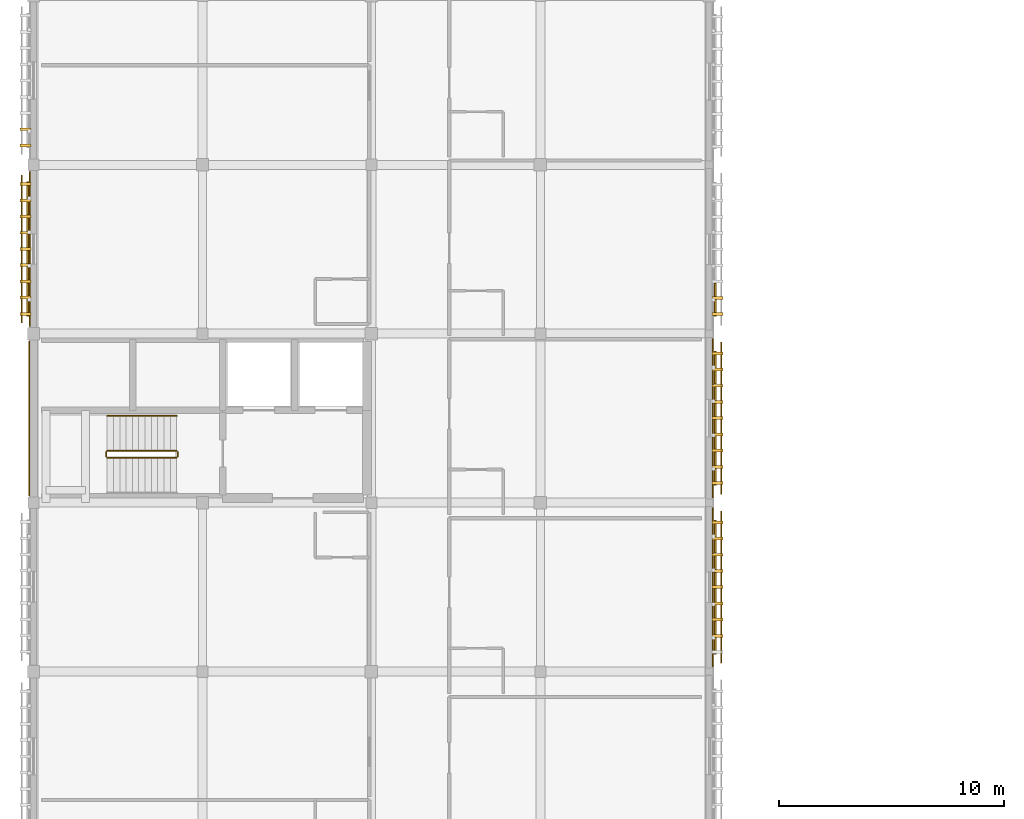
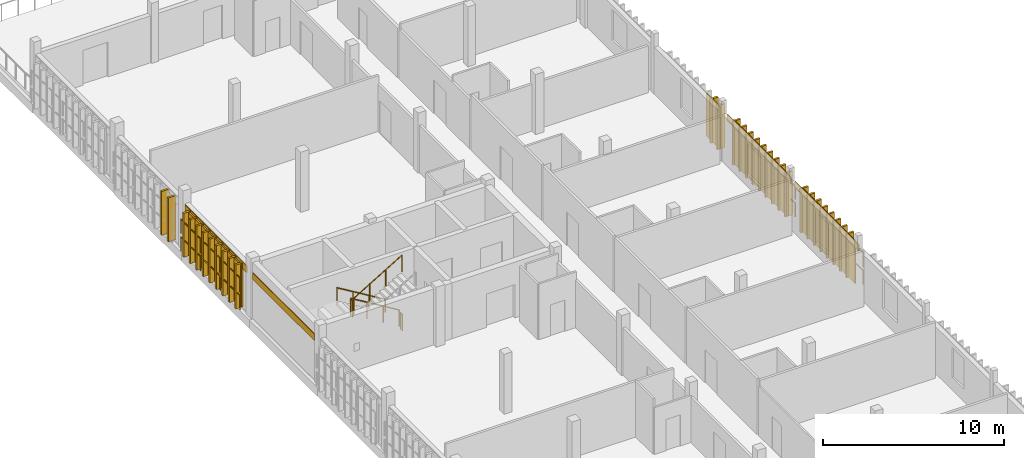
# One storey, part 16 of 17: 34 coverings, 13 shading devices, 11 railings.
"""IFC4 building model written with IfcOpenShell, lengths in metres."""

from ifc_helpers import new_model, si_unit, direction, frame, origin, origin_2d, place, context, subcontext, project, spatial, rectangle, circle, extrude, material, layer, layer_set, type_object, element, save


model = new_model("IFC4")

# Units and contexts
model_context = context("Model", 3, precision=1e-05, world=origin(), true_north=direction((0.0, 1.0)))
body_context = subcontext(model_context, "Body", "Model", "MODEL_VIEW")
ifc_project = project(units=[si_unit("LENGTHUNIT", "METRE"), si_unit("AREAUNIT", "SQUARE_METRE"), si_unit("VOLUMEUNIT", "CUBIC_METRE"), si_unit("PLANEANGLEUNIT", "RADIAN"), si_unit("MASSUNIT", "GRAM", prefix="KILO")], contexts=[model_context])

# Site, building, storey
site_placement = place(None, origin())
site = spatial("IfcSite", under=ifc_project, at=site_placement, CompositionType="ELEMENT")
building_placement = place(site_placement, origin())
building = spatial("IfcBuilding", under=site, at=building_placement, Name="Dalvernix Boulevard General Hospital", CompositionType="ELEMENT")
storey_placement = place(building_placement, frame((0.0, 0.0, 25.949951171875)))
storey = spatial("IfcBuildingStorey", under=building, at=storey_placement, Name="L06", CompositionType="ELEMENT", Elevation=25.949951171875)

# Coverings
ifc_material_1 = material(Name="Polychrome Catalan glazed ceramic spandrel tile panel")
ifc_layer_1 = layer(ifc_material_1, 0.044921875)
ifc_layer_set_1 = layer_set([ifc_layer_1], Name="Polychrome Catalan glazed ceramic spandrel tile panel (COV-CLD-01)")
covering_type_1 = type_object("IfcCoveringType", Name="COV-CLD-01", PredefinedType="CLADDING", material=ifc_layer_set_1)
for number, where, z_axis, x_axis, name in (
    (1, (-0.195068359375, 57.737548828125, 2.6953125), (0.0, 0.0, 1.0), (0.0, 1.0, 0.0), "L06 polychrome ceramic spandrel W 0-7"),
    (2, (-0.159912109375, 65.262451171875, 2.6953125), (0.0, 0.0, 1.0), (0.0, 1.0, 0.0), "L06 polychrome ceramic spandrel W 0-8"),
):
    element("IfcCovering", number, at=place(storey_placement, frame(where, z_axis=z_axis, x_axis=x_axis)), inside=storey, type_object=covering_type_1, Name=name, PredefinedType="CLADDING", context=body_context, shape_type="SweptSolid", body=[
        extrude(rectangle(XDim=6.85498046875, YDim=0.044921875, at=origin_2d()), origin(), (0.0, 0.0, 1.0), 0.449951171875),
    ])
for number, where, z_axis, x_axis, name in (
    (3, (30.159912109375, 50.25, 2.6953125), (0.0, 0.0, 1.0), (0.0, -1.0, 0.0), "L06 polychrome ceramic spandrel E 4-6"),
    (4, (30.159912109375, 57.75, 2.6953125), (0.0, 0.0, 1.0), (0.0, -1.0, 0.0), "L06 polychrome ceramic spandrel E 4-7"),
):
    element("IfcCovering", number, at=place(storey_placement, frame(where, z_axis=z_axis, x_axis=x_axis)), inside=storey, type_object=covering_type_1, Name=name, PredefinedType="CLADDING", context=body_context, shape_type="SweptSolid", body=[
        extrude(rectangle(XDim=7.06005859375, YDim=0.044921875, at=origin_2d()), origin(), (0.0, 0.0, 1.0), 0.449951171875),
    ])
ifc_material_2 = material(Name="Preservative-treated West African iroko timber lattice screen", Category="wood")
ifc_layer_2 = layer(ifc_material_2, 0.1201171875)
ifc_layer_set_2 = layer_set([ifc_layer_2], Name="Preservative-treated West African iroko timber lattice screen (COV-TSCR-01)")
covering_type_2 = type_object("IfcCoveringType", Name="COV-TSCR-01", PredefinedType="CLADDING", material=ifc_layer_set_2)
for number, where, z_axis, x_axis, name in (
    (5, (-0.360107421875, 62.382568359375, 0.10009765625), (0.0, 0.0, 1.0), (0.0, 1.0, 0.0), "L06 upper-ward timber screen blade W 0-8-1"),
    (6, (-0.360107421875, 63.1025390625, 0.10009765625), (0.0, 0.0, 1.0), (0.0, 1.0, 0.0), "L06 upper-ward timber screen blade W 0-8-2"),
    (7, (-0.360107421875, 63.822509765625, 0.10009765625), (0.0, 0.0, 1.0), (0.0, 1.0, 0.0), "L06 upper-ward timber screen blade W 0-8-3"),
    (8, (-0.360107421875, 64.54248046875, 0.10009765625), (0.0, 0.0, 1.0), (0.0, 1.0, 0.0), "L06 upper-ward timber screen blade W 0-8-4"),
    (9, (-0.360107421875, 65.262451171875, 0.10009765625), (0.0, 0.0, 1.0), (0.0, 1.0, 0.0), "L06 upper-ward timber screen blade W 0-8-5"),
    (10, (-0.360107421875, 65.982421875, 0.10009765625), (0.0, 0.0, 1.0), (0.0, 1.0, 0.0), "L06 upper-ward timber screen blade W 0-8-6"),
    (11, (-0.360107421875, 66.702392578125, 0.10009765625), (0.0, 0.0, 1.0), (0.0, 1.0, 0.0), "L06 upper-ward timber screen blade W 0-8-7"),
    (12, (-0.360107421875, 67.422607421875, 0.10009765625), (0.0, 0.0, 1.0), (0.0, 1.0, 0.0), "L06 upper-ward timber screen blade W 0-8-8"),
    (13, (-0.360107421875, 68.142578125, 0.10009765625), (0.0, 0.0, 1.0), (0.0, 1.0, 0.0), "L06 upper-ward timber screen blade W 0-8-9"),
    (14, (-0.360107421875, 69.857421875, 0.10009765625), (0.0, 0.0, 1.0), (0.0, 1.0, 0.0), "L06 upper-ward timber screen blade W 0-9-1"),
    (15, (-0.360107421875, 70.577392578125, 0.10009765625), (0.0, 0.0, 1.0), (0.0, 1.0, 0.0), "L06 upper-ward timber screen blade W 0-9-2"),
    (16, (30.360107421875, 53.1298828125, 0.10009765625), (0.0, 0.0, 1.0), (0.0, -1.0, 0.0), "L06 upper-ward timber screen blade E 4-6-1"),
    (17, (30.360107421875, 52.409912109375, 0.10009765625), (0.0, 0.0, 1.0), (0.0, -1.0, 0.0), "L06 upper-ward timber screen blade E 4-6-2"),
    (18, (30.360107421875, 51.68994140625, 0.10009765625), (0.0, 0.0, 1.0), (0.0, -1.0, 0.0), "L06 upper-ward timber screen blade E 4-6-3"),
    (19, (30.360107421875, 50.969970703125, 0.10009765625), (0.0, 0.0, 1.0), (0.0, -1.0, 0.0), "L06 upper-ward timber screen blade E 4-6-4"),
    (20, (30.360107421875, 50.25, 0.10009765625), (0.0, 0.0, 1.0), (0.0, -1.0, 0.0), "L06 upper-ward timber screen blade E 4-6-5"),
    (21, (30.360107421875, 49.530029296875, 0.10009765625), (0.0, 0.0, 1.0), (0.0, -1.0, 0.0), "L06 upper-ward timber screen blade E 4-6-6"),
    (22, (30.360107421875, 48.81005859375, 0.10009765625), (0.0, 0.0, 1.0), (0.0, -1.0, 0.0), "L06 upper-ward timber screen blade E 4-6-7"),
    (23, (30.360107421875, 48.090087890625, 0.10009765625), (0.0, 0.0, 1.0), (0.0, -1.0, 0.0), "L06 upper-ward timber screen blade E 4-6-8"),
    (24, (30.360107421875, 60.6298828125, 0.10009765625), (0.0, 0.0, 1.0), (0.0, -1.0, 0.0), "L06 upper-ward timber screen blade E 4-7-1"),
    (25, (30.360107421875, 59.909912109375, 0.10009765625), (0.0, 0.0, 1.0), (0.0, -1.0, 0.0), "L06 upper-ward timber screen blade E 4-7-2"),
    (26, (30.360107421875, 59.18994140625, 0.10009765625), (0.0, 0.0, 1.0), (0.0, -1.0, 0.0), "L06 upper-ward timber screen blade E 4-7-3"),
    (27, (30.360107421875, 58.469970703125, 0.10009765625), (0.0, 0.0, 1.0), (0.0, -1.0, 0.0), "L06 upper-ward timber screen blade E 4-7-4"),
    (28, (30.360107421875, 57.75, 0.10009765625), (0.0, 0.0, 1.0), (0.0, -1.0, 0.0), "L06 upper-ward timber screen blade E 4-7-5"),
    (29, (30.360107421875, 57.030029296875, 0.10009765625), (0.0, 0.0, 1.0), (0.0, -1.0, 0.0), "L06 upper-ward timber screen blade E 4-7-6"),
    (30, (30.360107421875, 56.31005859375, 0.10009765625), (0.0, 0.0, 1.0), (0.0, -1.0, 0.0), "L06 upper-ward timber screen blade E 4-7-7"),
    (31, (30.360107421875, 55.590087890625, 0.10009765625), (0.0, 0.0, 1.0), (0.0, -1.0, 0.0), "L06 upper-ward timber screen blade E 4-7-8"),
    (32, (30.360107421875, 54.8701171875, 0.10009765625), (0.0, 0.0, 1.0), (0.0, -1.0, 0.0), "L06 upper-ward timber screen blade E 4-7-9"),
    (33, (30.360107421875, 63.090087890625, 0.10009765625), (0.0, 0.0, 1.0), (0.0, -1.0, 0.0), "L06 upper-ward timber screen blade E 4-8-8"),
    (34, (30.360107421875, 62.3701171875, 0.10009765625), (0.0, 0.0, 1.0), (0.0, -1.0, 0.0), "L06 upper-ward timber screen blade E 4-8-9"),
):
    element("IfcCovering", number, at=place(storey_placement, frame(where, z_axis=z_axis, x_axis=x_axis)), inside=storey, type_object=covering_type_2, Name=name, PredefinedType="CLADDING", context=body_context, shape_type="SweptSolid", body=[
        extrude(rectangle(XDim=0.1298828125, YDim=0.47998046875, at=origin_2d()), origin(), (0.0, 0.0, 1.0), 2.969970703125),
    ])

# Railings
ifc_material_3 = material(Name="Brushed stainless steel balustrade", Category="steel")
railing_type_1 = type_object("IfcRailingType", Name="RL-GR-INT1", PredefinedType="BALUSTRADE", material=ifc_material_3)
railing_1_placement = place(storey_placement, frame((6.35009765625, 56.300048828125, 0.168701171875)))
element("IfcRailing", 35, at=railing_1_placement, inside=storey, type_object=railing_type_1, Name="L06 ST-02 stair guard 1", PredefinedType="BALUSTRADE", context=body_context, shape_type="SweptSolid", body=[
    extrude(circle(Radius=0.02392578125, at=origin_2d()), frame((0.0, 0.0, 1.09619140625), z_axis=(-0.856460923124, 0.0, 0.51621186267), x_axis=(0.0, -1.0, 0.0)), (0.0, 0.0, 1.0), 3.59619140625),
    extrude(circle(Radius=0.02099609375, at=origin_2d()), origin(), (0.0, 0.0, 1.0), 1.072021484375),
    extrude(circle(Radius=0.02099609375, at=origin_2d()), frame((-1.026611328125, 0.0, 0.618896484375)), (0.0, 0.0, 1.0), 1.072021484375),
    extrude(circle(Radius=0.02099609375, at=origin_2d()), frame((-2.053466796875, 0.0, 1.237548828125)), (0.0, 0.0, 1.0), 1.072021484375),
    extrude(circle(Radius=0.02099609375, at=origin_2d()), frame((-3.080078125, 0.0, 1.8564453125)), (0.0, 0.0, 1.0), 1.072021484375),
])
railing_2_placement = place(storey_placement, frame((3.219970703125, 56.25, 2.025146484375)))
element("IfcRailing", 36, at=railing_2_placement, inside=storey, type_object=railing_type_1, Name="L06 ST-02 stair guard 2", PredefinedType="BALUSTRADE", context=body_context, shape_type="SweptSolid", body=[
    extrude(circle(Radius=0.02392578125, at=origin_2d()), frame((0.0, 0.0, 1.09619140625), z_axis=(0.0, -1.0, 0.0), x_axis=(1.0, 0.0, 0.0)), (0.0, 0.0, 1.0), 0.199951171875),
    extrude(circle(Radius=0.02099609375, at=origin_2d()), origin(), (0.0, 0.0, 1.0), 1.072021484375),
    extrude(circle(Radius=0.02099609375, at=origin_2d()), frame((0.0, -0.199951171875, 0.0)), (0.0, 0.0, 1.0), 1.072021484375),
])
railing_3_placement = place(storey_placement, frame((3.27001953125, 56.0, 2.19384765625)))
element("IfcRailing", 37, at=railing_3_placement, inside=storey, type_object=railing_type_1, Name="L06 ST-02 stair guard 3", PredefinedType="BALUSTRADE", context=body_context, shape_type="SweptSolid", body=[
    extrude(circle(Radius=0.02392578125, at=origin_2d()), frame((0.0, 0.0, 1.09619140625), z_axis=(0.856490936558, 0.0, 0.516162063304), x_axis=(0.0, 1.0, 0.0)), (0.0, 0.0, 1.0), 3.59619140625),
    extrude(circle(Radius=0.02099609375, at=origin_2d()), origin(), (0.0, 0.0, 1.0), 1.072021484375),
    extrude(circle(Radius=0.02099609375, at=origin_2d()), frame((1.026611328125, 0.0, 0.61865234375)), (0.0, 0.0, 1.0), 1.072021484375),
    extrude(circle(Radius=0.02099609375, at=origin_2d()), frame((2.053466796875, 0.0, 1.237548828125)), (0.0, 0.0, 1.0), 1.072021484375),
    extrude(circle(Radius=0.02099609375, at=origin_2d()), frame((3.080078125, 0.0, 1.856201171875)), (0.0, 0.0, 1.0), 1.072021484375),
])
railing_4_placement = place(storey_placement, frame((6.39990234375, 56.25, 0.0)))
element("IfcRailing", 38, at=railing_4_placement, inside=storey, type_object=railing_type_1, Name="L06 ST-02 stair guard 4", PredefinedType="BALUSTRADE", context=body_context, shape_type="SweptSolid", body=[
    extrude(circle(Radius=0.02392578125, at=origin_2d()), frame((0.0, 0.0, 1.09619140625), z_axis=(0.0, -1.0, 0.0), x_axis=(1.0, 0.0, 0.0)), (0.0, 0.0, 1.0), 0.199951171875),
    extrude(circle(Radius=0.02099609375, at=origin_2d()), origin(), (0.0, 0.0, 1.0), 1.072021484375),
    extrude(circle(Radius=0.02099609375, at=origin_2d()), frame((0.0, -0.199951171875, 0.0)), (0.0, 0.0, 1.0), 1.072021484375),
])
ifc_material_4 = material(Name="Brushed stainless steel wall handrail", Category="steel")
railing_type_2 = type_object("IfcRailingType", Name="RL-HR-INT1", PredefinedType="HANDRAIL", material=ifc_material_4)
railing_5_placement = place(storey_placement, frame((6.35009765625, 57.85009765625, 0.168701171875)))
element("IfcRailing", 39, at=railing_5_placement, inside=storey, type_object=railing_type_2, Name="L06 ST-02 stair handrail 1", PredefinedType="HANDRAIL", context=body_context, shape_type="SweptSolid", body=[
    extrude(circle(Radius=0.02392578125, at=origin_2d()), frame((0.0, 0.0, 0.8759765625), z_axis=(-0.856460923124, 0.0, 0.51621186267), x_axis=(0.0, -1.0, 0.0)), (0.0, 0.0, 1.0), 3.59619140625),
    extrude(circle(Radius=0.02099609375, at=origin_2d()), origin(), (0.0, 0.0, 1.0), 0.851806640625),
    extrude(circle(Radius=0.02099609375, at=origin_2d()), frame((-1.026611328125, 0.0, 0.618896484375)), (0.0, 0.0, 1.0), 0.851806640625),
    extrude(circle(Radius=0.02099609375, at=origin_2d()), frame((-2.053466796875, 0.0, 1.237548828125)), (0.0, 0.0, 1.0), 0.851806640625),
    extrude(circle(Radius=0.02099609375, at=origin_2d()), frame((-3.080078125, 0.0, 1.8564453125)), (0.0, 0.0, 1.0), 0.851806640625),
])
ifc_material_5 = material(Name="Preservative-treated iroko timber horizontal screen louver rail", Category="wood")
railing_type_3 = type_object("IfcRailingType", Name="RL-TSCR-01", PredefinedType="BALUSTRADE", material=ifc_material_5)
for number, where, name in (
    (40, (-0.52001953125, 62.0048828125, 0.25), "L06 upper-ward horizontal timber screen louver W 0-8-1"),
    (41, (-0.52001953125, 62.0048828125, 1.449951171875), "L06 upper-ward horizontal timber screen louver W 0-8-2"),
):
    element("IfcRailing", number, at=place(storey_placement, frame(where)), inside=storey, type_object=railing_type_3, Name=name, PredefinedType="BALUSTRADE", context=body_context, shape_type="SweptSolid", body=[
        extrude(circle(Radius=0.02392578125, at=origin_2d()), frame((0.0, 0.0, 0.92578125), z_axis=(0.0, 1.0, 0.0), x_axis=(-1.0, 0.0, 0.0)), (0.0, 0.0, 1.0), 6.51513671875),
        extrude(circle(Radius=0.02099609375, at=origin_2d()), origin(), (0.0, 0.0, 1.0), 0.90185546875),
        extrude(circle(Radius=0.02099609375, at=origin_2d()), frame((0.0, 1.0859375, 0.0)), (0.0, 0.0, 1.0), 0.90185546875),
        extrude(circle(Radius=0.02099609375, at=origin_2d()), frame((0.0, 2.171630859375, 0.0)), (0.0, 0.0, 1.0), 0.90185546875),
        extrude(circle(Radius=0.02099609375, at=origin_2d()), frame((0.0, 3.257568359375, 0.0)), (0.0, 0.0, 1.0), 0.90185546875),
        extrude(circle(Radius=0.02099609375, at=origin_2d()), frame((0.0, 4.343505859375, 0.0)), (0.0, 0.0, 1.0), 0.90185546875),
        extrude(circle(Radius=0.02099609375, at=origin_2d()), frame((0.0, 5.42919921875, 0.0)), (0.0, 0.0, 1.0), 0.90185546875),
        extrude(circle(Radius=0.02099609375, at=origin_2d()), frame((0.0, 6.51513671875, 0.0)), (0.0, 0.0, 1.0), 0.90185546875),
    ])
for number, where, name in (
    (42, (30.52001953125, 53.610107421875, 0.25), "L06 upper-ward horizontal timber screen louver E 4-6-1"),
    (43, (30.52001953125, 53.610107421875, 1.449951171875), "L06 upper-ward horizontal timber screen louver E 4-6-2"),
    (44, (30.52001953125, 61.110107421875, 0.25), "L06 upper-ward horizontal timber screen louver E 4-7-1"),
    (45, (30.52001953125, 61.110107421875, 1.449951171875), "L06 upper-ward horizontal timber screen louver E 4-7-2"),
):
    element("IfcRailing", number, at=place(storey_placement, frame(where)), inside=storey, type_object=railing_type_3, Name=name, PredefinedType="BALUSTRADE", context=body_context, shape_type="SweptSolid", body=[
        extrude(circle(Radius=0.02392578125, at=origin_2d()), frame((0.0, 0.0, 0.92578125), z_axis=(0.0, -1.0, 0.0), x_axis=(1.0, 0.0, 0.0)), (0.0, 0.0, 1.0), 6.72021484375),
        extrude(circle(Radius=0.02099609375, at=origin_2d()), origin(), (0.0, 0.0, 1.0), 0.90185546875),
        extrude(circle(Radius=0.02099609375, at=origin_2d()), frame((0.0, -1.1201171875, 0.0)), (0.0, 0.0, 1.0), 0.90185546875),
        extrude(circle(Radius=0.02099609375, at=origin_2d()), frame((0.0, -2.239990234375, 0.0)), (0.0, 0.0, 1.0), 0.90185546875),
        extrude(circle(Radius=0.02099609375, at=origin_2d()), frame((0.0, -3.360107421875, 0.0)), (0.0, 0.0, 1.0), 0.90185546875),
        extrude(circle(Radius=0.02099609375, at=origin_2d()), frame((0.0, -4.480224609375, 0.0)), (0.0, 0.0, 1.0), 0.90185546875),
        extrude(circle(Radius=0.02099609375, at=origin_2d()), frame((0.0, -5.60009765625, 0.0)), (0.0, 0.0, 1.0), 0.90185546875),
        extrude(circle(Radius=0.02099609375, at=origin_2d()), frame((0.0, -6.72021484375, 0.0)), (0.0, 0.0, 1.0), 0.90185546875),
    ])

# Shading devices
ifc_material_6 = material(Name="Perforated iroko timber and glazed ceramic screen (30 percent open)", Category="wood")
shading_device_type = type_object("IfcShadingDeviceType", Name="SHD-SCR-01", PredefinedType="USERDEFINED", material=ifc_material_6)
for number, where, z_axis, x_axis, name in (
    (46, (-0.260009765625, 63.012451171875, 0.14990234375), (0.0, 0.0, 1.0), (0.0, 1.0, 0.0), "L06 perforated timber screen 1"),
    (47, (-0.260009765625, 64.512451171875, 0.14990234375), (0.0, 0.0, 1.0), (0.0, 1.0, 0.0), "L06 perforated timber screen 2"),
    (48, (-0.260009765625, 66.012451171875, 0.14990234375), (0.0, 0.0, 1.0), (0.0, 1.0, 0.0), "L06 perforated timber screen 3"),
    (49, (-0.260009765625, 67.512451171875, 0.14990234375), (0.0, 0.0, 1.0), (0.0, 1.0, 0.0), "L06 perforated timber screen 4"),
    (50, (30.260009765625, 52.5, 0.14990234375), (0.0, 0.0, 1.0), (0.0, -1.0, 0.0), "L06 perforated timber screen 1"),
    (51, (30.260009765625, 51.0, 0.14990234375), (0.0, 0.0, 1.0), (0.0, -1.0, 0.0), "L06 perforated timber screen 2"),
    (52, (30.260009765625, 49.5, 0.14990234375), (0.0, 0.0, 1.0), (0.0, -1.0, 0.0), "L06 perforated timber screen 3"),
    (53, (30.260009765625, 48.0, 0.14990234375), (0.0, 0.0, 1.0), (0.0, -1.0, 0.0), "L06 perforated timber screen 4"),
    (54, (30.260009765625, 60.0, 0.14990234375), (0.0, 0.0, 1.0), (0.0, -1.0, 0.0), "L06 perforated timber screen 1"),
    (55, (30.260009765625, 58.5, 0.14990234375), (0.0, 0.0, 1.0), (0.0, -1.0, 0.0), "L06 perforated timber screen 2"),
    (56, (30.260009765625, 57.0, 0.14990234375), (0.0, 0.0, 1.0), (0.0, -1.0, 0.0), "L06 perforated timber screen 3"),
    (57, (30.260009765625, 55.5, 0.14990234375), (0.0, 0.0, 1.0), (0.0, -1.0, 0.0), "L06 perforated timber screen 4"),
    (58, (30.260009765625, 63.0, 0.14990234375), (0.0, 0.0, 1.0), (0.0, -1.0, 0.0), "L06 perforated timber screen 4"),
):
    element("IfcShadingDevice", number, at=place(storey_placement, frame(where, z_axis=z_axis, x_axis=x_axis)), inside=storey, type_object=shading_device_type, Name=name, ObjectType="SCREEN", PredefinedType="USERDEFINED", context=body_context, shape_type="SweptSolid", body=[
        extrude(rectangle(XDim=1.4599609375, YDim=0.080078125, at=origin_2d()), origin(), (0.0, 0.0, 1.0), 2.8701171875),
    ])

save(model, "model.ifc")
